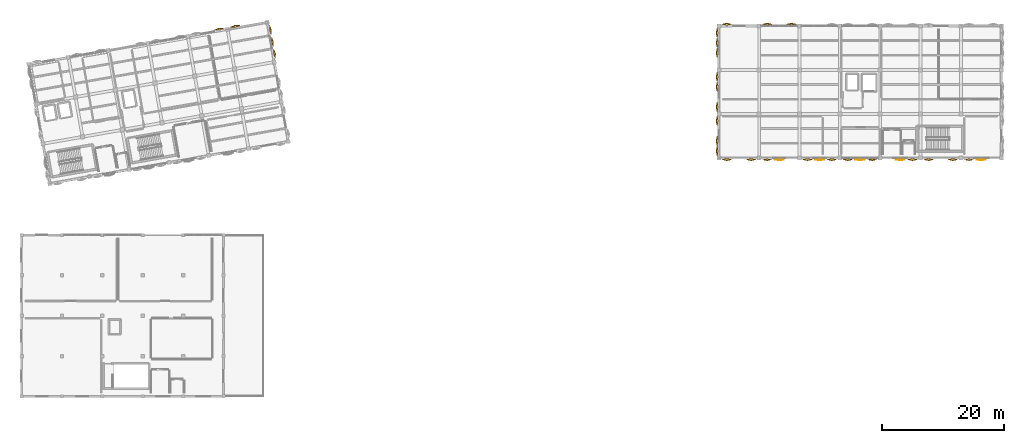
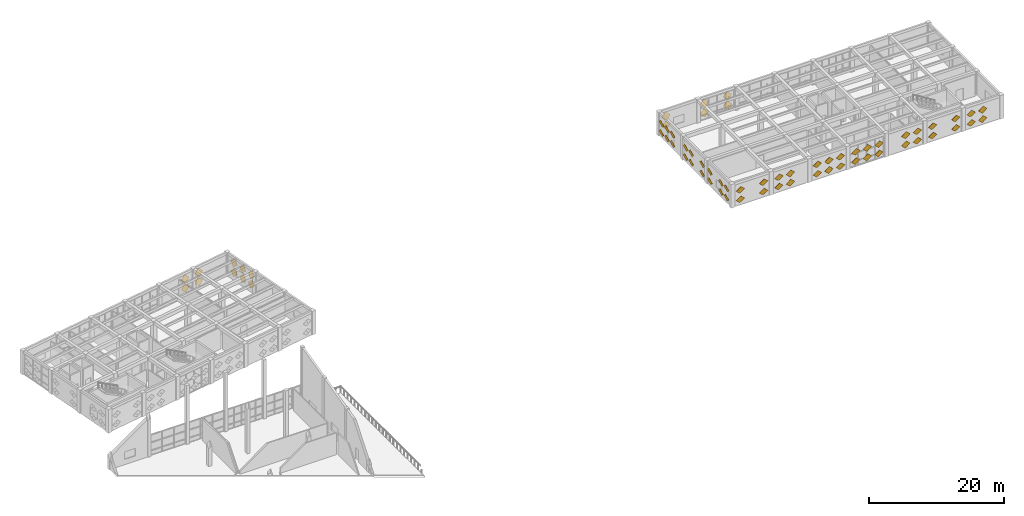
# One storey, part 38 of 39: 66 coverings.
"""IFC4 building model written with IfcOpenShell, lengths in metres."""

from ifc_helpers import new_model, si_unit, direction, frame, origin, place, context, subcontext, project, spatial, polyline, outline, extrude, material, type_object, element, save


model = new_model("IFC4")

# Units and contexts
model_context = context("Model", 3, precision=1e-05, world=origin(), true_north=direction((0.0, 1.0)))
body_context = subcontext(model_context, "Body", "Model", "MODEL_VIEW")
ifc_project = project(units=[si_unit("LENGTHUNIT", "METRE"), si_unit("AREAUNIT", "SQUARE_METRE"), si_unit("VOLUMEUNIT", "CUBIC_METRE"), si_unit("PLANEANGLEUNIT", "RADIAN"), si_unit("MASSUNIT", "GRAM", prefix="KILO")], contexts=[model_context])

# Site, building, storey
site_placement = place(None, origin())
site = spatial("IfcSite", under=ifc_project, at=site_placement, CompositionType="ELEMENT")
building_placement = place(site_placement, origin())
building = spatial("IfcBuilding", under=site, at=building_placement, Name="Kharisveld Research Institute", CompositionType="ELEMENT")
storey_placement = place(building_placement, frame((0.0, 0.0, 18.60009765625)))
storey = spatial("IfcBuildingStorey", under=building, at=storey_placement, Name="L04", CompositionType="ELEMENT", Elevation=18.60009765625)

# Coverings
ifc_material = material(Name="White Powder-Coated Perforated Aluminium", Category="aluminium")
covering_type = type_object("IfcCoveringType", Name="CV_DIA_105", PredefinedType="CLADDING")
for number, where, z_axis, x_axis, name in (
    (1, (32.94970703125, 60.109375, 0.324951171875), (0.169504241221, -0.961487125864, 0.216358080518), (0.669853329409, 0.27342850239, 0.690313965642), "SHD:V1:L04:N4:S2C0"),
    (2, (32.94970703125, 60.109375, 2.025146484375), (0.169504241221, -0.961487125864, 0.216358080518), (0.669853329409, 0.27342850239, 0.690313965642), "SHD:V1:L04:N4:S2C1"),
):
    element("IfcCovering", number, at=place(storey_placement, frame(where, z_axis=z_axis, x_axis=x_axis)), inside=storey, type_object=covering_type, material=ifc_material, Name=name, PredefinedType="CLADDING", context=body_context, shape_type="SweptSolid", body=[
        extrude(outline(polyline([(0.0, 0.0), (1.0500345519602505, 0.0), (1.0499807392517624, 1.0499534878027108), (-5.381270848814346e-05, 1.049953487802711), (0.0, 0.0)])), origin(), (0.0, 0.0, -1.0), 0.02392578125),
    ])
for number, where, z_axis, x_axis, name in (
    (3, (35.53662109375, 60.5654296875, 0.324951171875), (0.169530643305, -0.961476347302, 0.21638529192), (0.669725119033, 0.273471090272, 0.690421485559), "SHD:V1:L04:N5:S0C0"),
    (4, (35.53662109375, 60.5654296875, 2.025146484375), (0.169530643305, -0.961476347302, 0.21638529192), (0.669725119033, 0.273471090272, 0.690421485559), "SHD:V1:L04:N5:S0C1"),
):
    element("IfcCovering", number, at=place(storey_placement, frame(where, z_axis=z_axis, x_axis=x_axis)), inside=storey, type_object=covering_type, material=ifc_material, Name=name, PredefinedType="CLADDING", context=body_context, shape_type="SweptSolid", body=[
        extrude(outline(polyline([(0.0, 0.0), (1.0498710291992122, 0.0), (1.0499937163043682, 1.0499534820137317), (0.00012268710515594972, 1.049953482013732), (0.0, 0.0)])), origin(), (0.0, 0.0, -1.0), 0.02392578125),
    ])
for number, where, z_axis, x_axis, name in (
    (5, (41.0859375, 60.109619140625, 0.324951171875), (-0.961425979727, -0.169653966706, 0.216512394765), (0.27364360613, -0.669810730042, 0.69027006508), "SHD:V1:L04:E3:S0C0"),
    (6, (41.0859375, 60.109619140625, 2.025146484375), (-0.961425979727, -0.169653966706, 0.216512394765), (0.27364360613, -0.669810730042, 0.69027006508), "SHD:V1:L04:E3:S0C1"),
    (7, (41.430908203125, 58.153076171875, 0.324951171875), (-0.961425979727, -0.169653966706, 0.216512394765), (0.27364360613, -0.669810730042, 0.69027006508), "SHD:V1:L04:E3:S1C0"),
    (8, (41.430908203125, 58.153076171875, 2.025146484375), (-0.961425979727, -0.169653966706, 0.216512394765), (0.27364360613, -0.669810730042, 0.69027006508), "SHD:V1:L04:E3:S1C1"),
):
    element("IfcCovering", number, at=place(storey_placement, frame(where, z_axis=z_axis, x_axis=x_axis)), inside=storey, type_object=covering_type, material=ifc_material, Name=name, PredefinedType="CLADDING", context=body_context, shape_type="SweptSolid", body=[
        extrude(outline(polyline([(0.0, 0.0), (1.0501013332243323, 1.1102230246251565e-16), (1.050054335240126, 1.049953488129867), (-4.699798420648715e-05, 1.049953488129867), (0.0, 0.0)])), origin(), (0.0, 0.0, -1.0), 0.02392578125),
    ])
for number, where, z_axis, x_axis, name in (
    (9, (41.77587890625, 56.196533203125, 0.324951171875), (-0.961420032054, -0.169652917176, 0.216539626071), (0.273662566838, -0.66980738436, 0.690265794725), "SHD:V1:L04:E3:S2C0"),
    (10, (41.77587890625, 56.196533203125, 2.025146484375), (-0.961420032054, -0.169652917176, 0.216539626071), (0.273662566838, -0.66980738436, 0.690265794725), "SHD:V1:L04:E3:S2C1"),
):
    element("IfcCovering", number, at=place(storey_placement, frame(where, z_axis=z_axis, x_axis=x_axis)), inside=storey, type_object=covering_type, material=ifc_material, Name=name, PredefinedType="CLADDING", context=body_context, shape_type="SweptSolid", body=[
        extrude(outline(polyline([(0.0, 0.0), (1.0501013330201203, 0.0), (1.049890807434033, 1.0501299757557796), (-4.699839263988537e-05, 1.0499534879256078), (0.0, 0.0)])), origin(), (0.0, 0.0, -1.0), 0.02392578125),
    ])
for number, where, z_axis, x_axis, name in (
    (11, (114.500732421875, 40.340087890625, 0.324951171875), (0.97627595375, 0.0, 0.216530049021), (-0.153110874941, 0.707102121536, 0.690335896281), "SHD:V2:L04:W0:S0C0"),
    (12, (114.500732421875, 40.340087890625, 2.025146484375), (0.97627595375, 0.0, 0.216530049021), (-0.153110874941, 0.707102121536, 0.690335896281), "SHD:V2:L04:W0:S0C1"),
    (13, (114.500732421875, 41.97998046875, 0.324951171875), (0.97627595375, 0.0, 0.216530049021), (-0.153110874941, 0.707102121536, 0.690335896281), "SHD:V2:L04:W0:S1C0"),
    (14, (114.500732421875, 41.97998046875, 2.025146484375), (0.97627595375, 0.0, 0.216530049021), (-0.153110874941, 0.707102121536, 0.690335896281), "SHD:V2:L04:W0:S1C1"),
    (15, (114.500732421875, 45.260009765625, 0.324951171875), (0.97627595375, 0.0, 0.216530049021), (-0.153110874941, 0.707102121536, 0.690335896281), "SHD:V2:L04:W0:S3C0"),
    (16, (114.500732421875, 45.260009765625, 2.025146484375), (0.97627595375, 0.0, 0.216530049021), (-0.153110874941, 0.707102121536, 0.690335896281), "SHD:V2:L04:W0:S3C1"),
    (17, (114.500732421875, 47.5400390625, 0.324951171875), (0.97627595375, 0.0, 0.216530049021), (-0.153110874941, 0.707102121536, 0.690335896281), "SHD:V2:L04:W1:S0C0"),
    (18, (114.500732421875, 47.5400390625, 2.025146484375), (0.97627595375, 0.0, 0.216530049021), (-0.153110874941, 0.707102121536, 0.690335896281), "SHD:V2:L04:W1:S0C1"),
    (19, (114.500732421875, 50.820068359375, 0.324951171875), (0.97627595375, 0.0, 0.216530049021), (-0.153110874941, 0.707102121536, 0.690335896281), "SHD:V2:L04:W1:S2C0"),
    (20, (114.500732421875, 50.820068359375, 2.025146484375), (0.97627595375, 0.0, 0.216530049021), (-0.153110874941, 0.707102121536, 0.690335896281), "SHD:V2:L04:W1:S2C1"),
    (21, (114.500732421875, 52.4599609375, 0.324951171875), (0.97627595375, 0.0, 0.216530049021), (-0.153110874941, 0.707102121536, 0.690335896281), "SHD:V2:L04:W1:S3C0"),
    (22, (114.500732421875, 52.4599609375, 2.025146484375), (0.97627595375, 0.0, 0.216530049021), (-0.153110874941, 0.707102121536, 0.690335896281), "SHD:V2:L04:W1:S3C1"),
):
    element("IfcCovering", number, at=place(storey_placement, frame(where, z_axis=z_axis, x_axis=x_axis)), inside=storey, type_object=covering_type, material=ifc_material, Name=name, PredefinedType="CLADDING", context=body_context, shape_type="SweptSolid", body=[
        extrude(outline(polyline([(0.0, 0.0), (1.0499638142969818, -1.1102230246251565e-16), (1.0500150328164886, 1.0500011942978444), (1.3837934803917484e-05, 1.0499638142057939), (0.0, 0.0)])), origin(), (0.0, 0.0, -1.0), 0.02392578125),
    ])
for number, where, z_axis, x_axis, name in (
    (23, (114.500732421875, 56.3798828125, 0.324951171875), (0.97627595375, 0.0, 0.216530049021), (-0.153085702914, 0.707218355846, 0.690222402358), "SHD:V2:L04:W2:S1C0"),
    (24, (114.500732421875, 56.3798828125, 2.025146484375), (0.97627595375, 0.0, 0.216530049021), (-0.153085702914, 0.707218355846, 0.690222402358), "SHD:V2:L04:W2:S1C1"),
):
    element("IfcCovering", number, at=place(storey_placement, frame(where, z_axis=z_axis, x_axis=x_axis)), inside=storey, type_object=covering_type, material=ifc_material, Name=name, PredefinedType="CLADDING", context=body_context, shape_type="SweptSolid", body=[
        extrude(outline(polyline([(0.0, 0.0), (1.0501364608407977, 0.0), (1.0498424062359155, 1.0501737947769858), (-0.0001587683126624828, 1.0499638022930555), (0.0, 0.0)])), origin(), (0.0, 0.0, -1.0), 0.02392578125),
    ])
for number, where, z_axis, x_axis, name in (
    (25, (114.500732421875, 58.02001953125, 0.324951171875), (0.97627595375, 0.0, 0.216530049021), (-0.153110874941, 0.707102121536, 0.690335896281), "SHD:V2:L04:W2:S2C0"),
    (26, (114.500732421875, 58.02001953125, 2.025146484375), (0.97627595375, 0.0, 0.216530049021), (-0.153110874941, 0.707102121536, 0.690335896281), "SHD:V2:L04:W2:S2C1"),
    (27, (114.500732421875, 59.659912109375, 0.324951171875), (0.97627595375, 0.0, 0.216530049021), (-0.153110874941, 0.707102121536, 0.690335896281), "SHD:V2:L04:W2:S3C0"),
    (28, (114.500732421875, 59.659912109375, 2.025146484375), (0.97627595375, 0.0, 0.216530049021), (-0.153110874941, 0.707102121536, 0.690335896281), "SHD:V2:L04:W2:S3C1"),
):
    element("IfcCovering", number, at=place(storey_placement, frame(where, z_axis=z_axis, x_axis=x_axis)), inside=storey, type_object=covering_type, material=ifc_material, Name=name, PredefinedType="CLADDING", context=body_context, shape_type="SweptSolid", body=[
        extrude(outline(polyline([(0.0, 0.0), (1.0499638142969818, -1.1102230246251565e-16), (1.0500150328164886, 1.0500011942978444), (1.3837934803917484e-05, 1.0499638142057939), (0.0, 0.0)])), origin(), (0.0, 0.0, -1.0), 0.02392578125),
    ])
for number, where, z_axis, x_axis, name in (
    (29, (115.913330078125, 60.8994140625, 0.324951171875), (0.0, -0.97631069788, 0.216373337556), (0.707102116981, 0.153000063457, 0.6903604687), "SHD:V2:L04:N0:S0C0"),
    (30, (115.913330078125, 60.8994140625, 2.025146484375), (0.0, -0.97631069788, 0.216373337556), (0.707102116981, 0.153000063457, 0.6903604687), "SHD:V2:L04:N0:S0C1"),
):
    element("IfcCovering", number, at=place(storey_placement, frame(where, z_axis=z_axis, x_axis=x_axis)), inside=storey, type_object=covering_type, material=ifc_material, Name=name, PredefinedType="CLADDING", context=body_context, shape_type="SweptSolid", body=[
        extrude(outline(polyline([(0.0, 0.0), (1.0499638210603182, 0.0), (1.0499776725217052, 1.0499638209689517), (1.3851461386993336e-05, 1.0499638209689517), (0.0, 0.0)])), origin(), (0.0, 0.0, -1.0), 0.02392578125),
    ])
for number, where, z_axis, x_axis, name in (
    (31, (122.513427734375, 60.8994140625, 0.324951171875), (0.0, -0.97631069788, 0.216373337556), (0.707102116981, 0.153000063457, 0.6903604687), "SHD:V2:L04:N1:S0C0"),
    (32, (122.513427734375, 60.8994140625, 2.025146484375), (0.0, -0.97631069788, 0.216373337556), (0.707102116981, 0.153000063457, 0.6903604687), "SHD:V2:L04:N1:S0C1"),
):
    element("IfcCovering", number, at=place(storey_placement, frame(where, z_axis=z_axis, x_axis=x_axis)), inside=storey, type_object=covering_type, material=ifc_material, Name=name, PredefinedType="CLADDING", context=body_context, shape_type="SweptSolid", body=[
        extrude(outline(polyline([(0.0, 0.0), (1.0499638210603182, 0.0), (1.0499776725217052, 1.0499638209689517), (-0.00015878089139154117, 1.050136455599167), (0.0, 0.0)])), origin(), (0.0, 0.0, -1.0), 0.02392578125),
    ])
for number, where, z_axis, x_axis, name in (
    (33, (126.486572265625, 60.8994140625, 0.324951171875), (0.0, -0.97631069788, 0.216373337556), (0.707218351292, 0.152974909648, 0.690246970738), "SHD:V2:L04:N1:S2C0"),
    (34, (126.486572265625, 60.8994140625, 2.025146484375), (0.0, -0.97631069788, 0.216373337556), (0.707218351292, 0.152974909648, 0.690246970738), "SHD:V2:L04:N1:S2C1"),
):
    element("IfcCovering", number, at=place(storey_placement, frame(where, z_axis=z_axis, x_axis=x_axis)), inside=storey, type_object=covering_type, material=ifc_material, Name=name, PredefinedType="CLADDING", context=body_context, shape_type="SweptSolid", body=[
        extrude(outline(polyline([(0.0, 0.0), (1.0501364676030216, 1.1102230246251565e-16), (1.0498050520855338, 1.0501364153068435), (-0.00015875478719196146, 1.0499638090584367), (0.0, 0.0)])), origin(), (0.0, 0.0, -1.0), 0.02392578125),
    ])
covering_1_placement = place(storey_placement, frame((157.5, 39.0625, 0.317626953125), z_axis=(0.0, 0.986282612269, 0.165065468031), x_axis=(-0.707138821552, -0.116713622787, 0.697375521014)))
element("IfcCovering", 35, at=covering_1_placement, inside=storey, type_object=covering_type, material=ifc_material, Name="SHD:V2:L04:S7:S1C0", PredefinedType="CLADDING", context=body_context, shape_type="SweptSolid", body=[
    extrude(outline(polyline([(0.0, 0.0), (1.049909321899567, 0.0), (1.0499844306250534, 1.0500795907141018), (-9.51489700736774e-05, 1.049909317588087), (0.0, 0.0)])), origin(), (0.0, 0.0, -1.0), 0.02392578125),
])
covering_2_placement = place(storey_placement, frame((157.5, 39.0625, 2.017578125), z_axis=(0.0, 0.986282612269, 0.165065468031), x_axis=(-0.707024158255, -0.116732548384, 0.697488603341)))
element("IfcCovering", 36, at=covering_2_placement, inside=storey, type_object=covering_type, material=ifc_material, Name="SHD:V2:L04:S7:S1C1", PredefinedType="CLADDING", context=body_context, shape_type="SweptSolid", body=[
    extrude(outline(polyline([(0.0, 0.0), (1.0500795934002414, -1.1102230246251565e-16), (1.0501546899467695, 1.0499093192138629), (0.0002453818500782745, 1.0500795647299133), (0.0, 0.0)])), origin(), (0.0, 0.0, -1.0), 0.02392578125),
])
for number, where, z_axis, x_axis, name in (
    (37, (155.513427734375, 39.1005859375, 0.324951171875), (0.0, 0.97631069788, 0.216373337556), (-0.707218351292, -0.152974909648, 0.690246970738), "SHD:V2:L04:S7:S2C0"),
    (38, (155.513427734375, 39.1005859375, 2.025146484375), (0.0, 0.97631069788, 0.216373337556), (-0.707218351292, -0.152974909648, 0.690246970738), "SHD:V2:L04:S7:S2C1"),
):
    element("IfcCovering", number, at=place(storey_placement, frame(where, z_axis=z_axis, x_axis=x_axis)), inside=storey, type_object=covering_type, material=ifc_material, Name=name, PredefinedType="CLADDING", context=body_context, shape_type="SweptSolid", body=[
        extrude(outline(polyline([(0.0, 0.0), (1.0501364676030216, 1.1102230246251565e-16), (1.0498050520855338, 1.0501364153068435), (-0.00015875478719196146, 1.0499638090584367), (0.0, 0.0)])), origin(), (0.0, 0.0, -1.0), 0.02392578125),
    ])
for number, where, z_axis, x_axis, name in (
    (39, (152.88671875, 39.1005859375, 0.324951171875), (0.0, 0.97631069788, 0.216373337556), (-0.707102116981, -0.153000063457, 0.6903604687), "SHD:V2:L04:S6:S0C0"),
    (40, (152.88671875, 39.1005859375, 2.025146484375), (0.0, 0.97631069788, 0.216373337556), (-0.707102116981, -0.153000063457, 0.6903604687), "SHD:V2:L04:S6:S0C1"),
    (41, (148.913330078125, 39.1005859375, 0.324951171875), (0.0, 0.97631069788, 0.216373337556), (-0.707102116981, -0.153000063457, 0.6903604687), "SHD:V2:L04:S6:S2C0"),
    (42, (148.913330078125, 39.1005859375, 2.025146484375), (0.0, 0.97631069788, 0.216373337556), (-0.707102116981, -0.153000063457, 0.6903604687), "SHD:V2:L04:S6:S2C1"),
    (43, (146.28662109375, 39.1005859375, 0.324951171875), (0.0, 0.97631069788, 0.216373337556), (-0.707102116981, -0.153000063457, 0.6903604687), "SHD:V2:L04:S5:S0C0"),
    (44, (146.28662109375, 39.1005859375, 2.025146484375), (0.0, 0.97631069788, 0.216373337556), (-0.707102116981, -0.153000063457, 0.6903604687), "SHD:V2:L04:S5:S0C1"),
):
    element("IfcCovering", number, at=place(storey_placement, frame(where, z_axis=z_axis, x_axis=x_axis)), inside=storey, type_object=covering_type, material=ifc_material, Name=name, PredefinedType="CLADDING", context=body_context, shape_type="SweptSolid", body=[
        extrude(outline(polyline([(0.0, 0.0), (1.0499638210603182, 0.0), (1.0499776725217052, 1.0499638209689517), (1.3851461386993336e-05, 1.0499638209689517), (0.0, 0.0)])), origin(), (0.0, 0.0, -1.0), 0.02392578125),
    ])
covering_3_placement = place(storey_placement, frame((144.300048828125, 39.0625, 0.317626953125), z_axis=(0.0, 0.986282612269, 0.165065468031), x_axis=(-0.707138821552, -0.116713622787, 0.697375521014)))
element("IfcCovering", 45, at=covering_3_placement, inside=storey, type_object=covering_type, material=ifc_material, Name="SHD:V2:L04:S5:S1C0", PredefinedType="CLADDING", context=body_context, shape_type="SweptSolid", body=[
    extrude(outline(polyline([(0.0, 0.0), (1.049909321899567, 0.0), (1.0499844306250534, 1.0500795907141018), (-9.51489700736774e-05, 1.049909317588087), (0.0, 0.0)])), origin(), (0.0, 0.0, -1.0), 0.02392578125),
])
covering_4_placement = place(storey_placement, frame((144.300048828125, 39.0625, 2.017578125), z_axis=(0.0, 0.986282612269, 0.165065468031), x_axis=(-0.707024158255, -0.116732548384, 0.697488603341)))
element("IfcCovering", 46, at=covering_4_placement, inside=storey, type_object=covering_type, material=ifc_material, Name="SHD:V2:L04:S5:S1C1", PredefinedType="CLADDING", context=body_context, shape_type="SweptSolid", body=[
    extrude(outline(polyline([(0.0, 0.0), (1.0500795934002414, -1.1102230246251565e-16), (1.0501546899467695, 1.0499093192138629), (0.0002453818500782745, 1.0500795647299133), (0.0, 0.0)])), origin(), (0.0, 0.0, -1.0), 0.02392578125),
])
for number, where, z_axis, x_axis, name in (
    (47, (139.686767578125, 39.1005859375, 0.324951171875), (0.0, 0.97631069788, 0.216373337556), (-0.707218351292, -0.152974909648, 0.690246970738), "SHD:V2:L04:S4:S0C0"),
    (48, (139.686767578125, 39.1005859375, 2.025146484375), (0.0, 0.97631069788, 0.216373337556), (-0.707218351292, -0.152974909648, 0.690246970738), "SHD:V2:L04:S4:S0C1"),
):
    element("IfcCovering", number, at=place(storey_placement, frame(where, z_axis=z_axis, x_axis=x_axis)), inside=storey, type_object=covering_type, material=ifc_material, Name=name, PredefinedType="CLADDING", context=body_context, shape_type="SweptSolid", body=[
        extrude(outline(polyline([(0.0, 0.0), (1.0501364676030216, 1.1102230246251565e-16), (1.0498050520855338, 1.0501364153068435), (-0.00015875478719196146, 1.0499638090584367), (0.0, 0.0)])), origin(), (0.0, 0.0, -1.0), 0.02392578125),
    ])
covering_5_placement = place(storey_placement, frame((137.699951171875, 39.0625, 0.317626953125), z_axis=(0.0, 0.986282612269, 0.165065468031), x_axis=(-0.707138821552, -0.116713622787, 0.697375521014)))
element("IfcCovering", 49, at=covering_5_placement, inside=storey, type_object=covering_type, material=ifc_material, Name="SHD:V2:L04:S4:S1C0", PredefinedType="CLADDING", context=body_context, shape_type="SweptSolid", body=[
    extrude(outline(polyline([(0.0, 0.0), (1.049909321899567, 0.0), (1.0499844306250534, 1.0500795907141018), (-9.51489700736774e-05, 1.049909317588087), (0.0, 0.0)])), origin(), (0.0, 0.0, -1.0), 0.02392578125),
])
covering_6_placement = place(storey_placement, frame((137.699951171875, 39.0625, 2.017578125), z_axis=(0.0, 0.986282612269, 0.165065468031), x_axis=(-0.707024158255, -0.116732548384, 0.697488603341)))
element("IfcCovering", 50, at=covering_6_placement, inside=storey, type_object=covering_type, material=ifc_material, Name="SHD:V2:L04:S4:S1C1", PredefinedType="CLADDING", context=body_context, shape_type="SweptSolid", body=[
    extrude(outline(polyline([(0.0, 0.0), (1.0500795934002414, -1.1102230246251565e-16), (1.0501546899467695, 1.0499093192138629), (0.0002453818500782745, 1.0500795647299133), (0.0, 0.0)])), origin(), (0.0, 0.0, -1.0), 0.02392578125),
])
for number, where, z_axis, x_axis, name in (
    (51, (135.71337890625, 39.1005859375, 0.324951171875), (0.0, 0.97631069788, 0.216373337556), (-0.707102116981, -0.153000063457, 0.6903604687), "SHD:V2:L04:S4:S2C0"),
    (52, (135.71337890625, 39.1005859375, 2.025146484375), (0.0, 0.97631069788, 0.216373337556), (-0.707102116981, -0.153000063457, 0.6903604687), "SHD:V2:L04:S4:S2C1"),
    (53, (133.086669921875, 39.1005859375, 0.324951171875), (0.0, 0.97631069788, 0.216373337556), (-0.707102116981, -0.153000063457, 0.6903604687), "SHD:V2:L04:S3:S0C0"),
    (54, (133.086669921875, 39.1005859375, 2.025146484375), (0.0, 0.97631069788, 0.216373337556), (-0.707102116981, -0.153000063457, 0.6903604687), "SHD:V2:L04:S3:S0C1"),
):
    element("IfcCovering", number, at=place(storey_placement, frame(where, z_axis=z_axis, x_axis=x_axis)), inside=storey, type_object=covering_type, material=ifc_material, Name=name, PredefinedType="CLADDING", context=body_context, shape_type="SweptSolid", body=[
        extrude(outline(polyline([(0.0, 0.0), (1.0499638210603182, 0.0), (1.0499776725217052, 1.0499638209689517), (1.3851461386993336e-05, 1.0499638209689517), (0.0, 0.0)])), origin(), (0.0, 0.0, -1.0), 0.02392578125),
    ])
covering_7_placement = place(storey_placement, frame((131.10009765625, 39.0625, 0.317626953125), z_axis=(0.0, 0.986282612269, 0.165065468031), x_axis=(-0.707255049827, -0.116694432619, 0.69726085785)))
element("IfcCovering", 55, at=covering_7_placement, inside=storey, type_object=covering_type, material=ifc_material, Name="SHD:V2:L04:S3:S1C0", PredefinedType="CLADDING", context=body_context, shape_type="SweptSolid", body=[
    extrude(outline(polyline([(0.0, 0.0), (1.0500819774026109, 1.1102230246251565e-16), (1.0498117911607456, 1.050252186157772), (-0.00026774625358971793, 1.0499092877594485), (0.0, 0.0)])), origin(), (0.0, 0.0, -1.0), 0.02392578125),
])
covering_8_placement = place(storey_placement, frame((131.10009765625, 39.0625, 2.017578125), z_axis=(0.0, 0.986282612269, 0.165065468031), x_axis=(-0.707140405383, -0.116713361327, 0.697373958764)))
element("IfcCovering", 56, at=covering_8_placement, inside=storey, type_object=covering_type, material=ifc_material, Name="SHD:V2:L04:S3:S1C1", PredefinedType="CLADDING", context=body_context, shape_type="SweptSolid", body=[
    extrude(outline(polyline([(0.0, 0.0), (1.0502522209116176, -1.1102230246251565e-16), (1.049982078466331, 1.0500819426543992), (7.275656939786934e-05, 1.0500795908797094), (0.0, 0.0)])), origin(), (0.0, 0.0, -1.0), 0.02392578125),
])
for number, where, z_axis, x_axis, name in (
    (57, (129.11328125, 39.1005859375, 0.324951171875), (0.0, 0.97631069788, 0.216373337556), (-0.707102116981, -0.153000063457, 0.6903604687), "SHD:V2:L04:S3:S2C0"),
    (58, (129.11328125, 39.1005859375, 2.025146484375), (0.0, 0.97631069788, 0.216373337556), (-0.707102116981, -0.153000063457, 0.6903604687), "SHD:V2:L04:S3:S2C1"),
):
    element("IfcCovering", number, at=place(storey_placement, frame(where, z_axis=z_axis, x_axis=x_axis)), inside=storey, type_object=covering_type, material=ifc_material, Name=name, PredefinedType="CLADDING", context=body_context, shape_type="SweptSolid", body=[
        extrude(outline(polyline([(0.0, 0.0), (1.0499638210603182, 0.0), (1.0499776725217052, 1.0499638209689517), (1.3851461386993336e-05, 1.0499638209689517), (0.0, 0.0)])), origin(), (0.0, 0.0, -1.0), 0.02392578125),
    ])
covering_9_placement = place(storey_placement, frame((124.5, 39.0625, 0.317626953125), z_axis=(0.0, 0.986282612269, 0.165065468031), x_axis=(-0.707138821552, -0.116713622787, 0.697375521014)))
element("IfcCovering", 59, at=covering_9_placement, inside=storey, type_object=covering_type, material=ifc_material, Name="SHD:V2:L04:S2:S1C0", PredefinedType="CLADDING", context=body_context, shape_type="SweptSolid", body=[
    extrude(outline(polyline([(0.0, 0.0), (1.049909321899567, 0.0), (1.0499844306250534, 1.0500795907141018), (-9.51489700736774e-05, 1.049909317588087), (0.0, 0.0)])), origin(), (0.0, 0.0, -1.0), 0.02392578125),
])
covering_10_placement = place(storey_placement, frame((124.5, 39.0625, 2.017578125), z_axis=(0.0, 0.986282612269, 0.165065468031), x_axis=(-0.707024158255, -0.116732548384, 0.697488603341)))
element("IfcCovering", 60, at=covering_10_placement, inside=storey, type_object=covering_type, material=ifc_material, Name="SHD:V2:L04:S2:S1C1", PredefinedType="CLADDING", context=body_context, shape_type="SweptSolid", body=[
    extrude(outline(polyline([(0.0, 0.0), (1.0500795934002414, -1.1102230246251565e-16), (1.0501546899467695, 1.0499093192138629), (0.0002453818500782745, 1.0500795647299133), (0.0, 0.0)])), origin(), (0.0, 0.0, -1.0), 0.02392578125),
])
for number, where, z_axis, x_axis, name in (
    (61, (122.513427734375, 39.1005859375, 0.324951171875), (0.0, 0.97631069788, 0.216373337556), (-0.707218351292, -0.152974909648, 0.690246970738), "SHD:V2:L04:S2:S2C0"),
    (62, (122.513427734375, 39.1005859375, 2.025146484375), (0.0, 0.97631069788, 0.216373337556), (-0.707218351292, -0.152974909648, 0.690246970738), "SHD:V2:L04:S2:S2C1"),
):
    element("IfcCovering", number, at=place(storey_placement, frame(where, z_axis=z_axis, x_axis=x_axis)), inside=storey, type_object=covering_type, material=ifc_material, Name=name, PredefinedType="CLADDING", context=body_context, shape_type="SweptSolid", body=[
        extrude(outline(polyline([(0.0, 0.0), (1.0501364676030216, 1.1102230246251565e-16), (1.0498050520855338, 1.0501364153068435), (-0.00015875478719196146, 1.0499638090584367), (0.0, 0.0)])), origin(), (0.0, 0.0, -1.0), 0.02392578125),
    ])
for number, where, z_axis, x_axis, name in (
    (63, (119.88671875, 39.1005859375, 0.324951171875), (0.0, 0.97631069788, 0.216373337556), (-0.707102116981, -0.153000063457, 0.6903604687), "SHD:V2:L04:S1:S0C0"),
    (64, (119.88671875, 39.1005859375, 2.025146484375), (0.0, 0.97631069788, 0.216373337556), (-0.707102116981, -0.153000063457, 0.6903604687), "SHD:V2:L04:S1:S0C1"),
    (65, (115.913330078125, 39.1005859375, 0.324951171875), (0.0, 0.97631069788, 0.216373337556), (-0.707102116981, -0.153000063457, 0.6903604687), "SHD:V2:L04:S1:S2C0"),
    (66, (115.913330078125, 39.1005859375, 2.025146484375), (0.0, 0.97631069788, 0.216373337556), (-0.707102116981, -0.153000063457, 0.6903604687), "SHD:V2:L04:S1:S2C1"),
):
    element("IfcCovering", number, at=place(storey_placement, frame(where, z_axis=z_axis, x_axis=x_axis)), inside=storey, type_object=covering_type, material=ifc_material, Name=name, PredefinedType="CLADDING", context=body_context, shape_type="SweptSolid", body=[
        extrude(outline(polyline([(0.0, 0.0), (1.0499638210603182, 0.0), (1.0499776725217052, 1.0499638209689517), (1.3851461386993336e-05, 1.0499638209689517), (0.0, 0.0)])), origin(), (0.0, 0.0, -1.0), 0.02392578125),
    ])

save(model, "model.ifc")
